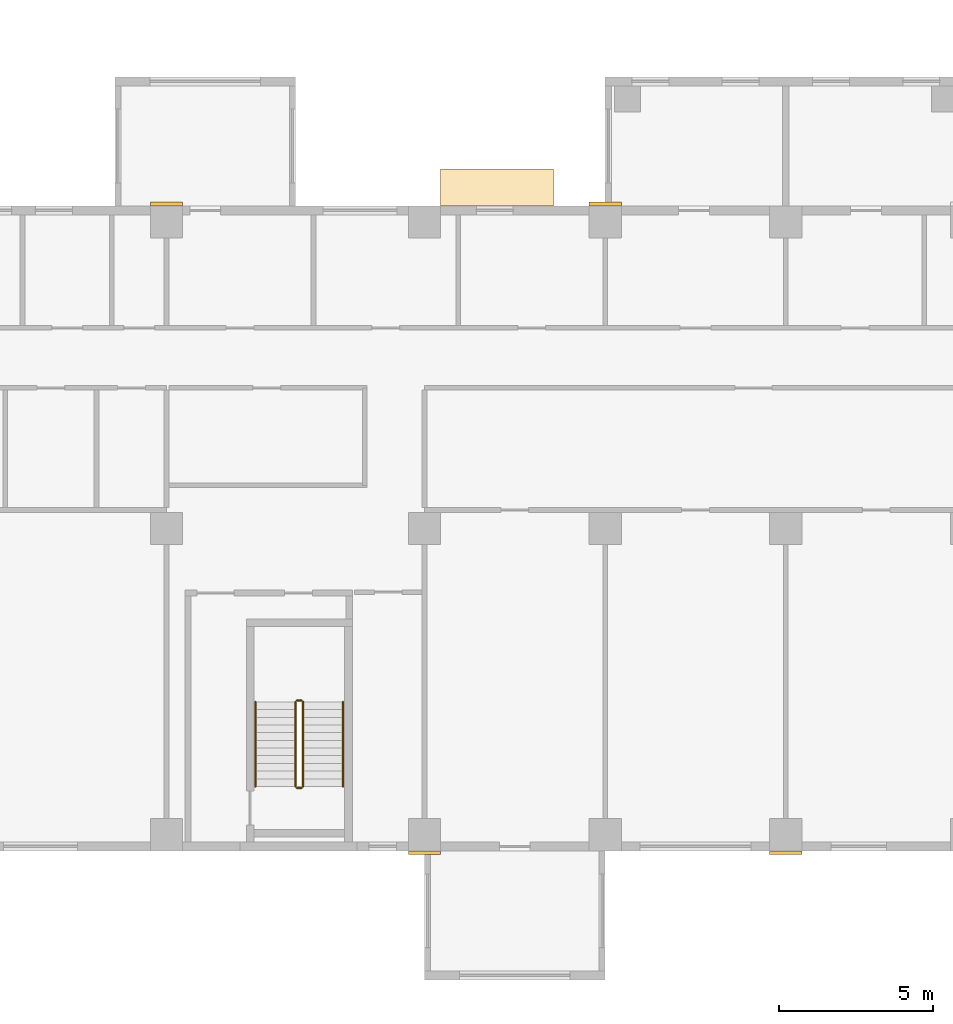
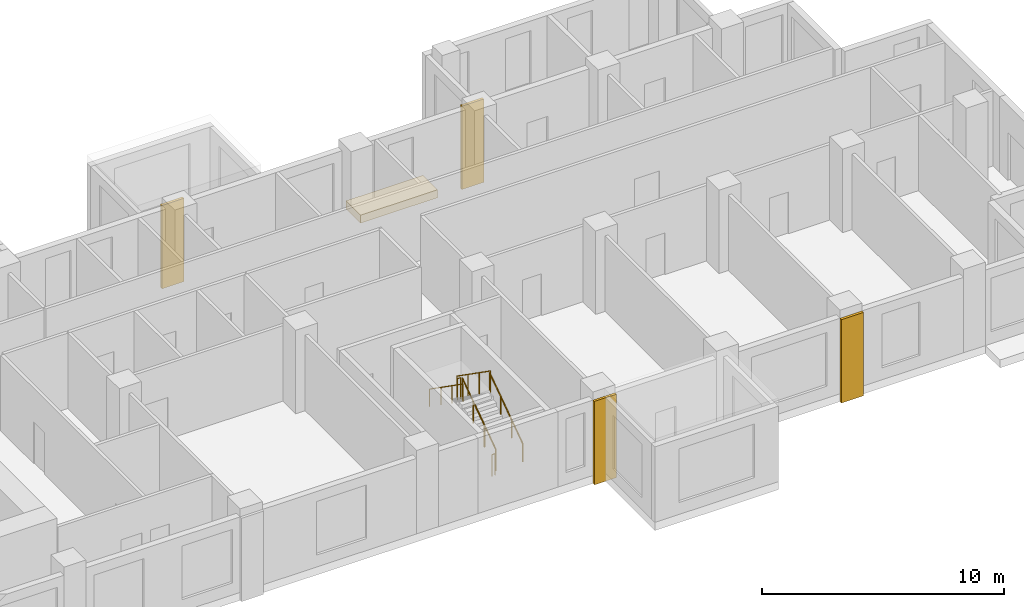
# One storey, part 14 of 16: 6 railings, 5 coverings.
"""IFC4 building model written with IfcOpenShell, lengths in metres."""

from ifc_helpers import new_model, si_unit, direction, frame, origin, origin_2d, place, context, subcontext, project, spatial, polyline, rectangle, circle, outline, extrude, source, transform, mapped, material, type_object, element, save


model = new_model("IFC4")

# Units and contexts
model_context = context("Model", 3, precision=1e-05, world=origin(), true_north=direction((0.0, 1.0)))
body_context = subcontext(model_context, "Body", "Model", "MODEL_VIEW")
ifc_project = project(units=[si_unit("LENGTHUNIT", "METRE"), si_unit("AREAUNIT", "SQUARE_METRE"), si_unit("VOLUMEUNIT", "CUBIC_METRE"), si_unit("PLANEANGLEUNIT", "RADIAN"), si_unit("MASSUNIT", "GRAM", prefix="KILO")], contexts=[model_context])

# Site, building, storey
site_placement = place(None, origin())
site = spatial("IfcSite", under=ifc_project, at=site_placement, CompositionType="ELEMENT")
building_placement = place(site_placement, origin())
building = spatial("IfcBuilding", under=site, at=building_placement, Name="Aurelian Terraces", CompositionType="ELEMENT")
storey_placement = place(building_placement, frame((0.0, 0.0, 124.5)))
storey = spatial("IfcBuildingStorey", under=building, at=storey_placement, Name="L27", CompositionType="ELEMENT", Elevation=124.5)

# Coverings
ifc_material_1 = material(Name="Terracotta roof tiles on membrane", Category="masonry")
covering_type_1 = type_object("IfcCoveringType", Name="Bay roof cover", PredefinedType="ROOFING", material=ifc_material_1)
covering_placement = place(storey_placement, frame((0.0, 0.0, -0.4)))
element("IfcCovering", 1, at=covering_placement, inside=storey, type_object=covering_type_1, Name="Bay roof L27 46.73_21.00_50.40_22.20", PredefinedType="ROOFING", context=body_context, shape_type="SweptSolid", body=[
    extrude(outline(polyline([(46.725, 21.0), (46.725, 22.2), (50.4, 22.2), (50.4, 21.0), (46.725, 21.0)])), origin(), (0.0, 0.0, 1.0), 0.4),
])
ifc_material_2 = material(Name="Terracotta rainscreen cladding relief", Category="masonry")
covering_type_2 = type_object("IfcCoveringType", Name="BAGUETTE-TC", PredefinedType="CLADDING", material=ifc_material_2)
shared_shape_1 = source(origin(), body_context, "Body", "SweptSolid", [
    extrude(rectangle(XDim=1.05, YDim=0.12, at=origin_2d()), origin(), (0.0, 0.0, 1.0), 4.2),
])
for number, where, z_axis, x_axis, name in (
    (2, (46.2, -0.06, -0.4), (0.0, 0.0, 1.0), (1.0, 0.0, 0.0), "BAGUETTE pier L27 3"),
    (3, (57.96, -0.06, -0.4), (0.0, 0.0, 1.0), (1.0, 0.0, 0.0), "BAGUETTE pier L27 4"),
    (4, (37.8, 21.06, -0.4), (0.0, 0.0, 1.0), (1.0, 0.0, 0.0), "BAGUETTE pier L27 7"),
    (5, (52.08, 21.06, -0.4), (0.0, 0.0, 1.0), (1.0, 0.0, 0.0), "BAGUETTE pier L27 8"),
):
    element("IfcCovering", number, at=place(storey_placement, frame(where, z_axis=z_axis, x_axis=x_axis)), inside=storey, type_object=covering_type_2, Name=name, PredefinedType="CLADDING", context=body_context, shape_type="MappedRepresentation", body=[
        mapped(shared_shape_1, transform((0.0, 0.0, 0.0), scale=1.0)),
    ])

# Railings
ifc_material_3 = material(Name="Stainless steel", Category="steel")
railing_type_1 = type_object("IfcRailingType", Name="Stair guard 1100", PredefinedType="GUARDRAIL", material=ifc_material_3)
shared_shape_2 = source(origin(), body_context, "Body", "SweptSolid", [
    extrude(circle(Radius=0.024, at=origin_2d()), frame((0.0, 0.0, 1.076), z_axis=(-1.0, 0.0, 0.0), x_axis=(0.0, -1.0, 0.0)), (0.0, 0.0, 1.0), 0.15),
    extrude(circle(Radius=0.021, at=origin_2d()), origin(), (0.0, 0.0, 1.0), 1.052),
    extrude(circle(Radius=0.021, at=origin_2d()), frame((-0.15, 0.0, 0.0)), (0.0, 0.0, 1.0), 1.052),
])
for number, where, name in (
    (6, (42.2, 4.9, 2.1), "L27 S2 stair guard 2"),
    (7, (42.2, 2.05, 0.0), "L27 S2 stair guard 4"),
):
    element("IfcRailing", number, at=place(storey_placement, frame(where)), inside=storey, type_object=railing_type_1, Name=name, PredefinedType="GUARDRAIL", context=body_context, shape_type="MappedRepresentation", body=[
        mapped(shared_shape_2, transform((0.0, 0.0, 0.0), scale=1.0)),
    ])
shared_shape_3 = source(origin(), body_context, "Body", "SweptSolid", [
    extrude(circle(Radius=0.024, at=origin_2d()), frame((0.0, 0.0, 1.076), z_axis=(0.0, 0.819231920519, 0.573462344363), x_axis=(-1.0, 0.0, 0.0)), (0.0, 0.0, 1.0), 3.3568),
    extrude(circle(Radius=0.021, at=origin_2d()), origin(), (0.0, 0.0, 1.0), 1.052),
    extrude(circle(Radius=0.021, at=origin_2d()), frame((0.0, 0.9167, 0.6417)), (0.0, 0.0, 1.0), 1.052),
    extrude(circle(Radius=0.021, at=origin_2d()), frame((0.0, 1.8333, 1.2833)), (0.0, 0.0, 1.0), 1.052),
    extrude(circle(Radius=0.021, at=origin_2d()), frame((0.0, 2.75, 1.925)), (0.0, 0.0, 1.0), 1.052),
])
railing_1_placement = place(storey_placement, frame((42.25, 2.1, 0.175)))
element("IfcRailing", 8, at=railing_1_placement, inside=storey, type_object=railing_type_1, Name="L27 S2 stair guard 1", PredefinedType="GUARDRAIL", context=body_context, shape_type="MappedRepresentation", body=[
    mapped(shared_shape_3, transform((0.0, 0.0, 0.0), scale=1.0)),
])
shared_shape_4 = source(origin(), body_context, "Body", "SweptSolid", [
    extrude(circle(Radius=0.024, at=origin_2d()), frame((0.0, 0.0, 1.076), z_axis=(0.0, -0.819231920519, 0.573462344363), x_axis=(1.0, 0.0, 0.0)), (0.0, 0.0, 1.0), 3.3568),
    extrude(circle(Radius=0.021, at=origin_2d()), origin(), (0.0, 0.0, 1.0), 1.052),
    extrude(circle(Radius=0.021, at=origin_2d()), frame((0.0, -0.9167, 0.6417)), (0.0, 0.0, 1.0), 1.052),
    extrude(circle(Radius=0.021, at=origin_2d()), frame((0.0, -1.8333, 1.2833)), (0.0, 0.0, 1.0), 1.052),
    extrude(circle(Radius=0.021, at=origin_2d()), frame((0.0, -2.75, 1.925)), (0.0, 0.0, 1.0), 1.052),
])
railing_2_placement = place(storey_placement, frame((42.0, 4.85, 2.275)))
element("IfcRailing", 9, at=railing_2_placement, inside=storey, type_object=railing_type_1, Name="L27 S2 stair guard 3", PredefinedType="GUARDRAIL", context=body_context, shape_type="MappedRepresentation", body=[
    mapped(shared_shape_4, transform((0.0, 0.0, 0.0), scale=1.0)),
])
railing_type_2 = type_object("IfcRailingType", Name="Stair handrail", PredefinedType="HANDRAIL", material=ifc_material_3)
shared_shape_5 = source(origin(), body_context, "Body", "SweptSolid", [
    extrude(circle(Radius=0.024, at=origin_2d()), frame((0.0, 0.0, 0.876), z_axis=(0.0, 0.819231920519, 0.573462344363), x_axis=(-1.0, 0.0, 0.0)), (0.0, 0.0, 1.0), 3.3568),
    extrude(circle(Radius=0.021, at=origin_2d()), origin(), (0.0, 0.0, 1.0), 0.852),
    extrude(circle(Radius=0.021, at=origin_2d()), frame((0.0, 0.9167, 0.6417)), (0.0, 0.0, 1.0), 0.852),
    extrude(circle(Radius=0.021, at=origin_2d()), frame((0.0, 1.8333, 1.2833)), (0.0, 0.0, 1.0), 0.852),
    extrude(circle(Radius=0.021, at=origin_2d()), frame((0.0, 2.75, 1.925)), (0.0, 0.0, 1.0), 0.852),
])
railing_3_placement = place(storey_placement, frame((43.55, 2.1, 0.175)))
element("IfcRailing", 10, at=railing_3_placement, inside=storey, type_object=railing_type_2, Name="L27 S2 stair handrail 1", PredefinedType="HANDRAIL", context=body_context, shape_type="MappedRepresentation", body=[
    mapped(shared_shape_5, transform((0.0, 0.0, 0.0), scale=1.0)),
])
shared_shape_6 = source(origin(), body_context, "Body", "SweptSolid", [
    extrude(circle(Radius=0.024, at=origin_2d()), frame((0.0, 0.0, 0.876), z_axis=(0.0, -0.819231920519, 0.573462344363), x_axis=(1.0, 0.0, 0.0)), (0.0, 0.0, 1.0), 3.3568),
    extrude(circle(Radius=0.021, at=origin_2d()), origin(), (0.0, 0.0, 1.0), 0.852),
    extrude(circle(Radius=0.021, at=origin_2d()), frame((0.0, -0.9167, 0.6417)), (0.0, 0.0, 1.0), 0.852),
    extrude(circle(Radius=0.021, at=origin_2d()), frame((0.0, -1.8333, 1.2833)), (0.0, 0.0, 1.0), 0.852),
    extrude(circle(Radius=0.021, at=origin_2d()), frame((0.0, -2.75, 1.925)), (0.0, 0.0, 1.0), 0.852),
])
railing_4_placement = place(storey_placement, frame((40.7, 4.85, 2.275)))
element("IfcRailing", 11, at=railing_4_placement, inside=storey, type_object=railing_type_2, Name="L27 S2 stair handrail 2", PredefinedType="HANDRAIL", context=body_context, shape_type="MappedRepresentation", body=[
    mapped(shared_shape_6, transform((0.0, 0.0, 0.0), scale=1.0)),
])

save(model, "model.ifc")
